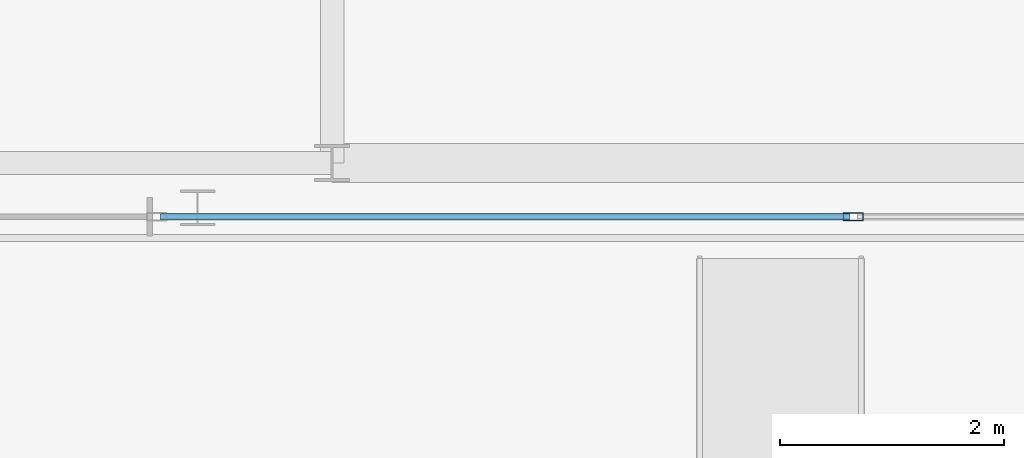
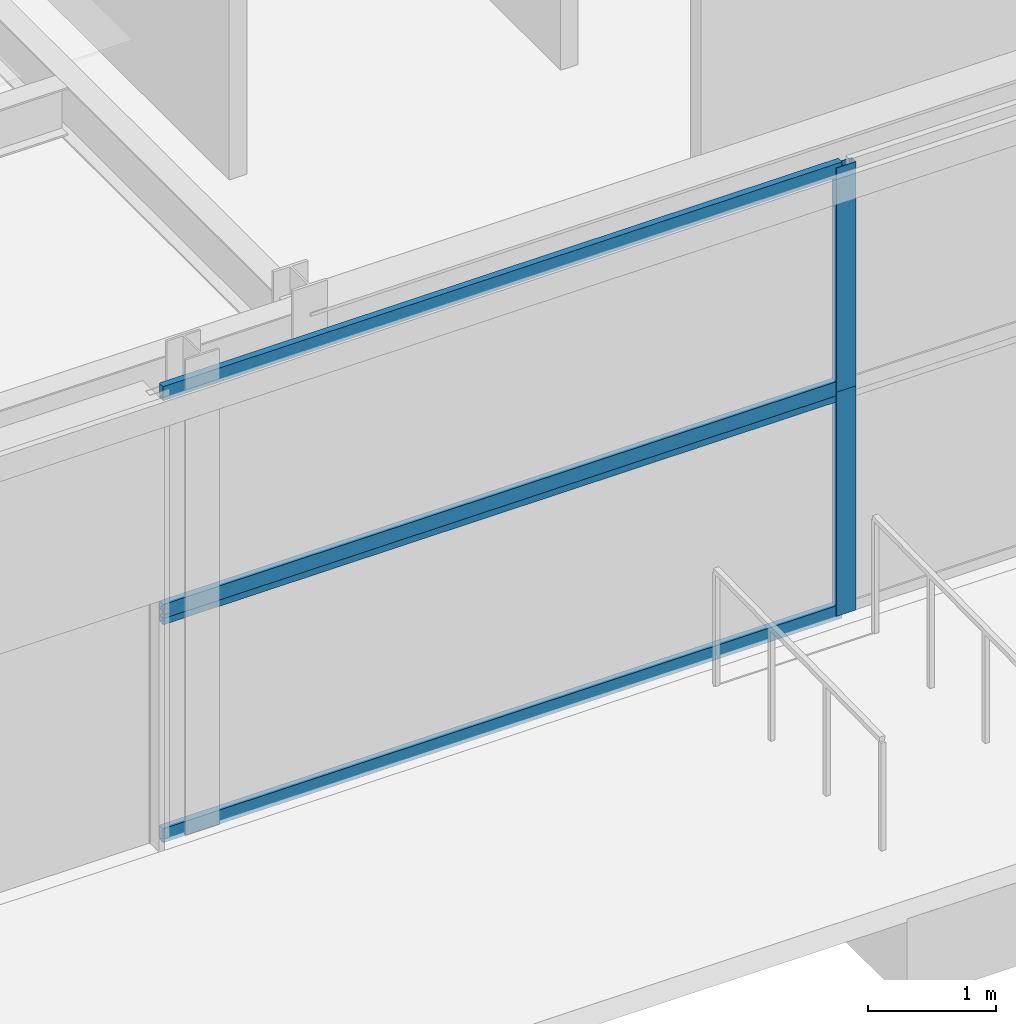
# One storey, part 15 of 29: 6 members, 2 elements without a shape of their own.
"""IFC4 building model written with IfcOpenShell, lengths in metres."""

from ifc_helpers import new_model, si_unit, direction, frame, origin, origin_2d, place, context, subcontext, project, spatial, hollow_rectangle, extrude, source, transform, mapped, material, layer, layer_set, material_profile, profile_set, type_object, element, aggregate, save


model = new_model("IFC4")

# Units and contexts
model_context = context("Model", 3, precision=1e-05, world=origin(), true_north=direction((0.0, 1.0)))
body_context = subcontext(model_context, "Body", "Model", "MODEL_VIEW")
ifc_project = project(units=[si_unit("LENGTHUNIT", "METRE"), si_unit("AREAUNIT", "SQUARE_METRE"), si_unit("VOLUMEUNIT", "CUBIC_METRE"), si_unit("PLANEANGLEUNIT", "RADIAN"), si_unit("MASSUNIT", "GRAM", prefix="KILO")], contexts=[model_context])

# Site, building, storey
site_placement = place(None, origin())
site = spatial("IfcSite", under=ifc_project, at=site_placement, CompositionType="ELEMENT")
building_placement = place(site_placement, origin())
building = spatial("IfcBuilding", under=site, at=building_placement, Name="Taldren Reach Tower", CompositionType="ELEMENT")
storey_placement = place(building_placement, origin())
storey = spatial("IfcBuildingStorey", under=building, at=storey_placement, Name="L00", CompositionType="ELEMENT", Elevation=0.0)

# Curtain wall, member
ifc_material_1 = material(Name="Aluminium and Low-E Glass Unitised System", Category="aluminium")
ifc_layer = layer(ifc_material_1, 0.159912109375)
ifc_layer_set = layer_set([ifc_layer], Name="Aluminium and Low-E Glass Unitised System")
curtain_wall_type = type_object("IfcCurtainWallType", Name="CW-SYS-1", PredefinedType="NOTDEFINED", material=ifc_layer_set)
curtain_wall_1_placement = place(storey_placement, origin())
curtain_wall_1 = element("IfcCurtainWall", 1, at=curtain_wall_1_placement, inside=storey, type_object=curtain_wall_type, Name="Unitised curtain wall CW1-L00-S3", PredefinedType="NOTDEFINED")
ifc_material_2 = material(Name="Anodised Aluminium 6063-T6", Category="aluminium")
ifc_material_profile_1 = material_profile(ifc_material_2, hollow_rectangle(XDim=0.070068359375, YDim=0.179931640625, WallThickness=0.00390625, at=origin_2d()), Name="ALU-180x70x4RHS")
ifc_profile_set_1 = profile_set([ifc_material_profile_1], Name="Anodised Aluminium 6063-T6")
member_type_1 = type_object("IfcMemberType", Name="CW-MUL-180", PredefinedType="MULLION", material=ifc_profile_set_1)
shared_shape_1 = source(origin(), body_context, "Body", "SweptSolid", [
    extrude(hollow_rectangle(XDim=0.070068359375, YDim=0.179931640625, WallThickness=0.00390625, at=origin_2d()), origin(), (0.0, 0.0, 1.0), 2.14501953125),
])
member_1_placement = place(storey_placement, frame((56.64990234375, 0.169921875, 0.0), z_axis=(0.0, 0.0, 1.0), x_axis=(0.0, 1.0, 0.0)))
member_1 = element("IfcMember", 2, at=member_1_placement, type_object=member_type_1, Name="CW-1 mullion 2", PredefinedType="MULLION", context=body_context, shape_type="MappedRepresentation", body=[
    mapped(shared_shape_1, transform((0.0, 0.0, 0.0), scale=1.0)),
])

curtain_wall_2_placement = place(storey_placement, origin())
curtain_wall_2 = element("IfcCurtainWall", 3, at=curtain_wall_2_placement, inside=storey, type_object=curtain_wall_type, Name="Unitised curtain wall CW1-L00-S3-T2", PredefinedType="NOTDEFINED")
member_2_placement = place(storey_placement, frame((56.64990234375, 0.169921875, 2.14501953125), z_axis=(0.0, 0.0, 1.0), x_axis=(0.0, 1.0, 0.0)))
member_2 = element("IfcMember", 4, at=member_2_placement, type_object=member_type_1, Name="CW-1 mullion 2", PredefinedType="MULLION", context=body_context, shape_type="MappedRepresentation", body=[
    mapped(shared_shape_1, transform((0.0, 0.0, 0.0), scale=1.0)),
])

# Member
ifc_material_profile_2 = material_profile(ifc_material_2, hollow_rectangle(XDim=0.06005859375, YDim=0.135009765625, WallThickness=0.00341796875, at=origin_2d()), Name="ALU-135x60x3.5RHS")
ifc_profile_set_2 = profile_set([ifc_material_profile_2], Name="Anodised Aluminium 6063-T6")
member_type_2 = type_object("IfcMemberType", Name="CW-TRN-150", PredefinedType="USERDEFINED", material=ifc_profile_set_2)
shared_shape_2 = source(origin(), body_context, "Body", "SweptSolid", [
    extrude(hollow_rectangle(XDim=0.06005859375, YDim=0.135009765625, WallThickness=0.00341796875, at=origin_2d()), origin(), (0.0, 0.0, 1.0), 6.14501953125),
])
member_3_placement = place(storey_placement, frame((50.469970703125, 0.169921875, 0.030029296875), z_axis=(1.0, 0.0, 0.0), x_axis=(0.0, 1.0, 0.0)))
member_3 = element("IfcMember", 5, at=member_3_placement, type_object=member_type_2, Name="CW-1 transom 1.1", ObjectType="TRANSOM", PredefinedType="USERDEFINED", context=body_context, shape_type="MappedRepresentation", body=[
    mapped(shared_shape_2, transform((0.0, 0.0, 0.0), scale=1.0)),
])

member_4_placement = place(storey_placement, frame((50.469970703125, 0.169921875, 2.114990234375), z_axis=(1.0, 0.0, 0.0), x_axis=(0.0, 1.0, 0.0)))
member_4 = element("IfcMember", 6, at=member_4_placement, type_object=member_type_2, Name="CW-1 transom 1.2", ObjectType="TRANSOM", PredefinedType="USERDEFINED", context=body_context, shape_type="MappedRepresentation", body=[
    mapped(shared_shape_2, transform((0.0, 0.0, 0.0), scale=1.0)),
])

aggregate(curtain_wall_1, [member_1, member_3, member_4])

member_5_placement = place(storey_placement, frame((50.469970703125, 0.169921875, 2.175048828125), z_axis=(1.0, 0.0, 0.0), x_axis=(0.0, 1.0, 0.0)))
member_5 = element("IfcMember", 7, at=member_5_placement, type_object=member_type_2, Name="CW-1 transom 1.1", ObjectType="TRANSOM", PredefinedType="USERDEFINED", context=body_context, shape_type="MappedRepresentation", body=[
    mapped(shared_shape_2, transform((0.0, 0.0, 0.0), scale=1.0)),
])

member_6_placement = place(storey_placement, frame((50.469970703125, 0.169921875, 4.260009765625), z_axis=(1.0, 0.0, 0.0), x_axis=(0.0, 1.0, 0.0)))
member_6 = element("IfcMember", 8, at=member_6_placement, type_object=member_type_2, Name="CW-1 transom 1.2", ObjectType="TRANSOM", PredefinedType="USERDEFINED", context=body_context, shape_type="MappedRepresentation", body=[
    mapped(shared_shape_2, transform((0.0, 0.0, 0.0), scale=1.0)),
])

aggregate(curtain_wall_2, [member_2, member_5, member_6])

save(model, "model.ifc")
